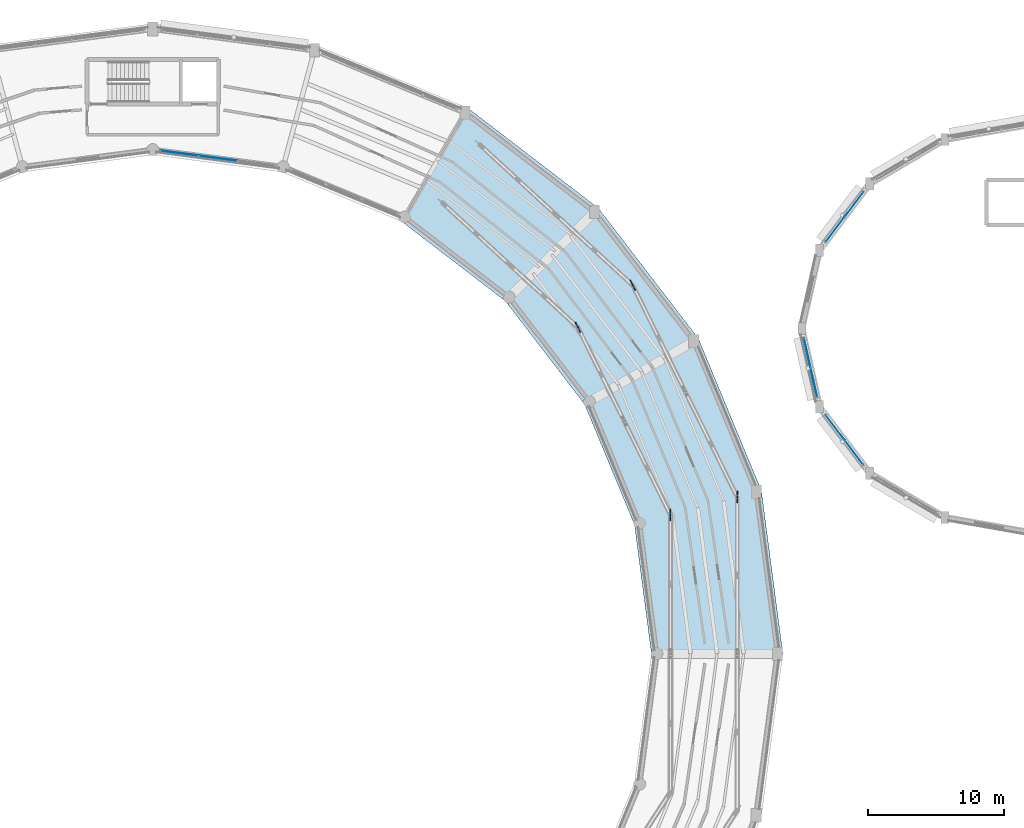
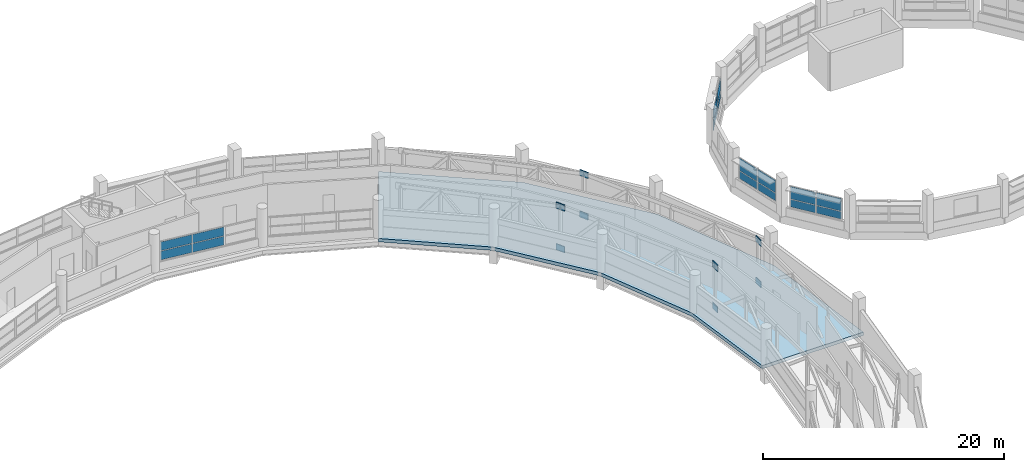
# One storey, part 92 of 121: 24 plates, 1 slab, 4 elements without a shape of their own.
"""IFC4 building model written with IfcOpenShell, lengths in metres."""

from ifc_helpers import new_model, si_unit, direction, frame, origin, origin_2d, place, context, subcontext, project, spatial, polyline, rectangle, outline, extrude, material, layer, layer_set, type_object, element, aggregate, save


model = new_model("IFC4")

# Units and contexts
model_context = context("Model", 3, precision=1e-05, world=origin(), true_north=direction((0.0, 1.0)))
body_context = subcontext(model_context, "Body", "Model", "MODEL_VIEW")
ifc_project = project(units=[si_unit("LENGTHUNIT", "METRE"), si_unit("AREAUNIT", "SQUARE_METRE"), si_unit("VOLUMEUNIT", "CUBIC_METRE"), si_unit("PLANEANGLEUNIT", "RADIAN"), si_unit("MASSUNIT", "GRAM", prefix="KILO")], contexts=[model_context])

# Site, building, storey
site_placement = place(None, origin())
site = spatial("IfcSite", under=ifc_project, at=site_placement, CompositionType="ELEMENT")
building_placement = place(site_placement, origin())
building = spatial("IfcBuilding", under=site, at=building_placement, Name="Vespera Passage Community Centre", CompositionType="ELEMENT")
storey_placement = place(building_placement, frame((0.0, 0.0, 8.699951171875)))
storey = spatial("IfcBuildingStorey", under=building, at=storey_placement, Name="L02", CompositionType="ELEMENT", Elevation=8.699951171875)

# Curtain wall, plates
ifc_material_1 = material(Name="Anodized aluminium 6063-T6", Category="aluminium")
ifc_layer_1 = layer(ifc_material_1, 0.159912109375)
ifc_layer_set_1 = layer_set([ifc_layer_1], Name="Anodized aluminium 6063-T6")
curtain_wall_type_1 = type_object("IfcCurtainWallType", Name="CW-98E", PredefinedType="NOTDEFINED", material=ifc_layer_set_1)
curtain_wall_1_placement = place(storey_placement, origin())
curtain_wall_1 = element("IfcCurtainWall", 1, at=curtain_wall_1_placement, inside=storey, type_object=curtain_wall_type_1, Name="Sports Drum Ribbon Curtain Wall L02.7", PredefinedType="NOTDEFINED")
ifc_material_2 = material(Name="Low-E insulated vision glass", Category="glass")
ifc_layer_2 = layer(ifc_material_2, 0.028076171875)
ifc_layer_set_2 = layer_set([ifc_layer_2], Name="Low-E insulated vision glass")
plate_type_1 = type_object("IfcPlateType", Name="PL-CWP-28E", PredefinedType="CURTAIN_PANEL", material=ifc_layer_set_2)
plate_1_placement = place(storey_placement, frame((128.3544921875, 96.802001953125, 0.91015625), z_axis=(0.0, 0.0, 1.0), x_axis=(0.603405522961, 0.797434495654, 0.0)))
plate_1 = element("IfcPlate", 2, at=plate_1_placement, type_object=plate_type_1, Name="CW-98E panel 1.1", PredefinedType="CURTAIN_PANEL", context=body_context, shape_type="SweptSolid", body=[
    extrude(rectangle(XDim=2.246826171875, YDim=0.028076171875, at=origin_2d()), origin(), (0.0, 0.0, 1.0), 0.760009765625),
])
plate_2_placement = place(storey_placement, frame((128.3544921875, 96.802001953125, 1.72998046875), z_axis=(0.0, 0.0, 1.0), x_axis=(0.603405522961, 0.797434495654, 0.0)))
plate_2 = element("IfcPlate", 3, at=plate_2_placement, type_object=plate_type_1, Name="CW-98E panel 1.2", PredefinedType="CURTAIN_PANEL", context=body_context, shape_type="SweptSolid", body=[
    extrude(rectangle(XDim=2.246826171875, YDim=0.028076171875, at=origin_2d()), origin(), (0.0, 0.0, 1.0), 1.27490234375),
])
plate_3_placement = place(storey_placement, frame((129.755615234375, 98.65380859375, 0.91015625), z_axis=(0.0, 0.0, 1.0), x_axis=(0.603405522961, 0.797434495654, 0.0)))
plate_3 = element("IfcPlate", 4, at=plate_3_placement, type_object=plate_type_1, Name="CW-98E panel 2.1", PredefinedType="CURTAIN_PANEL", context=body_context, shape_type="SweptSolid", body=[
    extrude(rectangle(XDim=2.246826171875, YDim=0.028076171875, at=origin_2d()), origin(), (0.0, 0.0, 1.0), 0.760009765625),
])
plate_4_placement = place(storey_placement, frame((129.755615234375, 98.65380859375, 1.72998046875), z_axis=(0.0, 0.0, 1.0), x_axis=(0.603405522961, 0.797434495654, 0.0)))
plate_4 = element("IfcPlate", 5, at=plate_4_placement, type_object=plate_type_1, Name="CW-98E panel 2.2", PredefinedType="CURTAIN_PANEL", context=body_context, shape_type="SweptSolid", body=[
    extrude(rectangle(XDim=2.246826171875, YDim=0.028076171875, at=origin_2d()), origin(), (0.0, 0.0, 1.0), 1.27490234375),
])
aggregate(curtain_wall_1, [plate_1, plate_2, plate_3, plate_4])

ifc_material_3 = material(Name="Anodized aluminium 6063-T6", Category="aluminium")
ifc_layer_3 = layer(ifc_material_3, 0.159912109375)
ifc_layer_set_3 = layer_set([ifc_layer_3], Name="Anodized aluminium 6063-T6")
curtain_wall_type_2 = type_object("IfcCurtainWallType", Name="CW-97E", PredefinedType="NOTDEFINED", material=ifc_layer_set_3)
curtain_wall_2_placement = place(storey_placement, origin())
curtain_wall_2 = element("IfcCurtainWall", 6, at=curtain_wall_2_placement, inside=storey, type_object=curtain_wall_type_2, Name="Sports Drum Ribbon Curtain Wall L02.9", PredefinedType="NOTDEFINED")
plate_5_placement = place(storey_placement, frame((126.7978515625, 85.51416015625, 0.91015625), z_axis=(0.0, 0.0, 1.0), x_axis=(-0.219762591846, 0.975553383073, 0.0)))
plate_5 = element("IfcPlate", 7, at=plate_5_placement, type_object=plate_type_1, Name="CW-97E panel 1.1", PredefinedType="CURTAIN_PANEL", context=body_context, shape_type="SweptSolid", body=[
    extrude(rectangle(XDim=2.1728515625, YDim=0.028076171875, at=origin_2d()), origin(), (0.0, 0.0, 1.0), 0.760009765625),
])
plate_6_placement = place(storey_placement, frame((126.7978515625, 85.51416015625, 1.72998046875), z_axis=(0.0, 0.0, 1.0), x_axis=(-0.219762591846, 0.975553383073, 0.0)))
plate_6 = element("IfcPlate", 8, at=plate_6_placement, type_object=plate_type_1, Name="CW-97E panel 1.2", PredefinedType="CURTAIN_PANEL", context=body_context, shape_type="SweptSolid", body=[
    extrude(rectangle(XDim=2.1728515625, YDim=0.028076171875, at=origin_2d()), origin(), (0.0, 0.0, 1.0), 1.27490234375),
])
plate_7_placement = place(storey_placement, frame((126.303955078125, 87.707275390625, 0.91015625), z_axis=(0.0, 0.0, 1.0), x_axis=(-0.219762591846, 0.975553383073, 0.0)))
plate_7 = element("IfcPlate", 9, at=plate_7_placement, type_object=plate_type_1, Name="CW-97E panel 2.1", PredefinedType="CURTAIN_PANEL", context=body_context, shape_type="SweptSolid", body=[
    extrude(rectangle(XDim=2.1728515625, YDim=0.028076171875, at=origin_2d()), origin(), (0.0, 0.0, 1.0), 0.760009765625),
])
plate_8_placement = place(storey_placement, frame((126.303955078125, 87.707275390625, 1.72998046875), z_axis=(0.0, 0.0, 1.0), x_axis=(-0.219762591846, 0.975553383073, 0.0)))
plate_8 = element("IfcPlate", 10, at=plate_8_placement, type_object=plate_type_1, Name="CW-97E panel 2.2", PredefinedType="CURTAIN_PANEL", context=body_context, shape_type="SweptSolid", body=[
    extrude(rectangle(XDim=2.1728515625, YDim=0.028076171875, at=origin_2d()), origin(), (0.0, 0.0, 1.0), 1.27490234375),
])
aggregate(curtain_wall_2, [plate_5, plate_6, plate_7, plate_8])

curtain_wall_3_placement = place(storey_placement, origin())
curtain_wall_3 = element("IfcCurtainWall", 11, at=curtain_wall_3_placement, inside=storey, type_object=curtain_wall_type_1, Name="Sports Drum Ribbon Curtain Wall L02.10", PredefinedType="NOTDEFINED")
plate_9_placement = place(storey_placement, frame((129.755615234375, 80.34619140625, 0.91015625), z_axis=(0.0, 0.0, 1.0), x_axis=(-0.603405522961, 0.797434495654, 0.0)))
plate_9 = element("IfcPlate", 12, at=plate_9_placement, type_object=plate_type_1, Name="CW-98E panel 1.1", PredefinedType="CURTAIN_PANEL", context=body_context, shape_type="SweptSolid", body=[
    extrude(rectangle(XDim=2.246826171875, YDim=0.028076171875, at=origin_2d()), origin(), (0.0, 0.0, 1.0), 0.760009765625),
])
plate_10_placement = place(storey_placement, frame((129.755615234375, 80.34619140625, 1.72998046875), z_axis=(0.0, 0.0, 1.0), x_axis=(-0.603405522961, 0.797434495654, 0.0)))
plate_10 = element("IfcPlate", 13, at=plate_10_placement, type_object=plate_type_1, Name="CW-98E panel 1.2", PredefinedType="CURTAIN_PANEL", context=body_context, shape_type="SweptSolid", body=[
    extrude(rectangle(XDim=2.246826171875, YDim=0.028076171875, at=origin_2d()), origin(), (0.0, 0.0, 1.0), 1.27490234375),
])
plate_11_placement = place(storey_placement, frame((128.3544921875, 82.197998046875, 0.91015625), z_axis=(0.0, 0.0, 1.0), x_axis=(-0.603405522961, 0.797434495654, 0.0)))
plate_11 = element("IfcPlate", 14, at=plate_11_placement, type_object=plate_type_1, Name="CW-98E panel 2.1", PredefinedType="CURTAIN_PANEL", context=body_context, shape_type="SweptSolid", body=[
    extrude(rectangle(XDim=2.246826171875, YDim=0.028076171875, at=origin_2d()), origin(), (0.0, 0.0, 1.0), 0.760009765625),
])
plate_12_placement = place(storey_placement, frame((128.3544921875, 82.197998046875, 1.72998046875), z_axis=(0.0, 0.0, 1.0), x_axis=(-0.603405522961, 0.797434495654, 0.0)))
plate_12 = element("IfcPlate", 15, at=plate_12_placement, type_object=plate_type_1, Name="CW-98E panel 2.2", PredefinedType="CURTAIN_PANEL", context=body_context, shape_type="SweptSolid", body=[
    extrude(rectangle(XDim=2.246826171875, YDim=0.028076171875, at=origin_2d()), origin(), (0.0, 0.0, 1.0), 1.27490234375),
])
aggregate(curtain_wall_3, [plate_9, plate_10, plate_11, plate_12])

ifc_material_4 = material(Name="Anodized aluminium 6063-T6", Category="aluminium")
ifc_layer_4 = layer(ifc_material_4, 0.159912109375)
ifc_layer_set_4 = layer_set([ifc_layer_4], Name="Anodized aluminium 6063-T6")
curtain_wall_type_3 = type_object("IfcCurtainWallType", Name="CW-27E", PredefinedType="NOTDEFINED", material=ifc_layer_set_4)
curtain_wall_4_placement = place(storey_placement, origin())
curtain_wall_4 = element("IfcCurtainWall", 16, at=curtain_wall_4_placement, inside=storey, type_object=curtain_wall_type_3, Name="V4 L02 Inner Court Curtain Wall 5", PredefinedType="NOTDEFINED")
ifc_material_5 = material(Name="Acoustic triple-glazed vision glass", Category="glass")
ifc_layer_5 = layer(ifc_material_5, 0.035888671875)
ifc_layer_set_5 = layer_set([ifc_layer_5], Name="Acoustic triple-glazed vision glass")
plate_type_2 = type_object("IfcPlateType", Name="PL-CWP-36E", PredefinedType="CURTAIN_PANEL", material=ifc_layer_set_5)
plate_13_placement = place(storey_placement, frame((82.81396484375, 102.066162109375, 0.880126953125), z_axis=(0.0, 0.0, 1.0), x_axis=(-0.991445387728, 0.1305221941, 0.0)))
plate_13 = element("IfcPlate", 17, at=plate_13_placement, type_object=plate_type_2, Name="CW-27E panel 2.1", PredefinedType="CURTAIN_PANEL", context=body_context, shape_type="SweptSolid", body=[
    extrude(rectangle(XDim=2.826904296875, YDim=0.035888671875, at=origin_2d()), origin(), (0.0, 0.0, 1.0), 0.884765625),
])
plate_14_placement = place(storey_placement, frame((82.81396484375, 102.066162109375, 1.82470703125), z_axis=(0.0, 0.0, 1.0), x_axis=(-0.991445387728, 0.1305221941, 0.0)))
plate_14 = element("IfcPlate", 18, at=plate_14_placement, type_object=plate_type_2, Name="CW-27E panel 2.2", PredefinedType="CURTAIN_PANEL", context=body_context, shape_type="SweptSolid", body=[
    extrude(rectangle(XDim=2.826904296875, YDim=0.035888671875, at=origin_2d()), origin(), (0.0, 0.0, 1.0), 0.884765625),
])
plate_15_placement = place(storey_placement, frame((79.962890625, 102.441650390625, 0.880126953125), z_axis=(0.0, 0.0, 1.0), x_axis=(-0.991445387728, 0.1305221941, 0.0)))
plate_15 = element("IfcPlate", 19, at=plate_15_placement, type_object=plate_type_2, Name="CW-27E panel 3.1", PredefinedType="CURTAIN_PANEL", context=body_context, shape_type="SweptSolid", body=[
    extrude(rectangle(XDim=2.79443359375, YDim=0.035888671875, at=origin_2d()), origin(), (0.0, 0.0, 1.0), 0.884765625),
])
plate_16_placement = place(storey_placement, frame((79.962890625, 102.441650390625, 1.82470703125), z_axis=(0.0, 0.0, 1.0), x_axis=(-0.991445387728, 0.1305221941, 0.0)))
plate_16 = element("IfcPlate", 20, at=plate_16_placement, type_object=plate_type_2, Name="CW-27E panel 3.2", PredefinedType="CURTAIN_PANEL", context=body_context, shape_type="SweptSolid", body=[
    extrude(rectangle(XDim=2.79443359375, YDim=0.035888671875, at=origin_2d()), origin(), (0.0, 0.0, 1.0), 0.884765625),
])
aggregate(curtain_wall_4, [plate_13, plate_14, plate_15, plate_16])

# Plates
ifc_material_6 = material(Name="Steel ASTM A572 Grade 50", Category="steel")
ifc_layer_6 = layer(ifc_material_6, 0.074951171875)
ifc_layer_set_6 = layer_set([ifc_layer_6], Name="Steel ASTM A572 Grade 50")
plate_type_3 = type_object("IfcPlateType", Name="PL-NODE-75", PredefinedType="SHEET", material=ifc_layer_set_6)
for number, where, z_axis, x_axis, name in (
    (21, (121.128662109375, 77.056396484375, -1.10009765625), (0.0, 0.0, 1.0), (0.0, 1.0, 0.0), "Truss TR5O Gusset Plate B5"),
    (22, (121.128662109375, 77.056396484375, 3.110107421875), (0.0, 0.0, 1.0), (0.0, 1.0, 0.0), "Truss TR5O Gusset Plate T5"),
    (23, (116.202392578125, 75.736328125, -1.10009765625), (0.0, 0.0, 1.0), (0.0, 1.0, 0.0), "Truss TR5I Gusset Plate B5"),
    (24, (116.202392578125, 75.736328125, 3.110107421875), (0.0, 0.0, 1.0), (0.0, 1.0, 0.0), "Truss TR5I Gusset Plate T5"),
    (25, (113.423095703125, 92.68115234375, -1.10009765625), (0.0, 0.0, 1.0), (-0.442288690219, 0.896872741533, 0.0), "Truss TR6O Gusset Plate B5"),
    (26, (113.423095703125, 92.68115234375, 3.110107421875), (0.0, 0.0, 1.0), (-0.442288690219, 0.896872741533, 0.0), "Truss TR6O Gusset Plate T5"),
    (27, (109.377197265625, 89.576416015625, -1.10009765625), (0.0, 0.0, 1.0), (-0.442288690219, 0.896872741533, 0.0), "Truss TR6I Gusset Plate B5"),
    (28, (109.377197265625, 89.576416015625, 3.110107421875), (0.0, 0.0, 1.0), (-0.442288690219, 0.896872741533, 0.0), "Truss TR6I Gusset Plate T5"),
):
    element("IfcPlate", number, at=place(storey_placement, frame(where, z_axis=z_axis, x_axis=x_axis)), inside=storey, type_object=plate_type_3, Name=name, PredefinedType="SHEET", context=body_context, shape_type="SweptSolid", body=[
        extrude(rectangle(XDim=0.840087890625, YDim=0.074951171875, at=origin_2d()), origin(), (0.0, 0.0, 1.0), 0.6201171875),
    ])

# Slab
ifc_material_7 = material(Name="Concrete f'c 45 MPa", Category="concrete")
ifc_layer_7 = layer(ifc_material_7, 0.340087890625)
ifc_layer_set_7 = layer_set([ifc_layer_7], Name="Concrete f'c 45 MPa")
slab_type = type_object("IfcSlabType", Name="SL-XFER-340", PredefinedType="FLOOR", material=ifc_layer_set_7)
slab_placement = place(storey_placement, frame((0.0, 0.0, -0.33984375)))
element("IfcSlab", 29, at=slab_placement, inside=storey, type_object=slab_type, Name="V4 L02 Annular Sector 1 Slab", PredefinedType="FLOOR", context=body_context, shape_type="SweptSolid", body=[
    extrude(outline(polyline([(124.5, 65.5), (122.91552734375, 77.53515625), (118.270263671875, 88.75), (110.880615234375, 98.380615234375), (101.25, 105.770263671875), (96.39990234375, 97.36962890625), (104.021484375, 91.521484375), (109.86962890625, 83.89990234375), (113.546142578125, 75.0244140625), (114.800048828125, 65.5), (124.5, 65.5)])), origin(), (0.0, 0.0, 1.0), 0.33984375),
])

save(model, "model.ifc")
